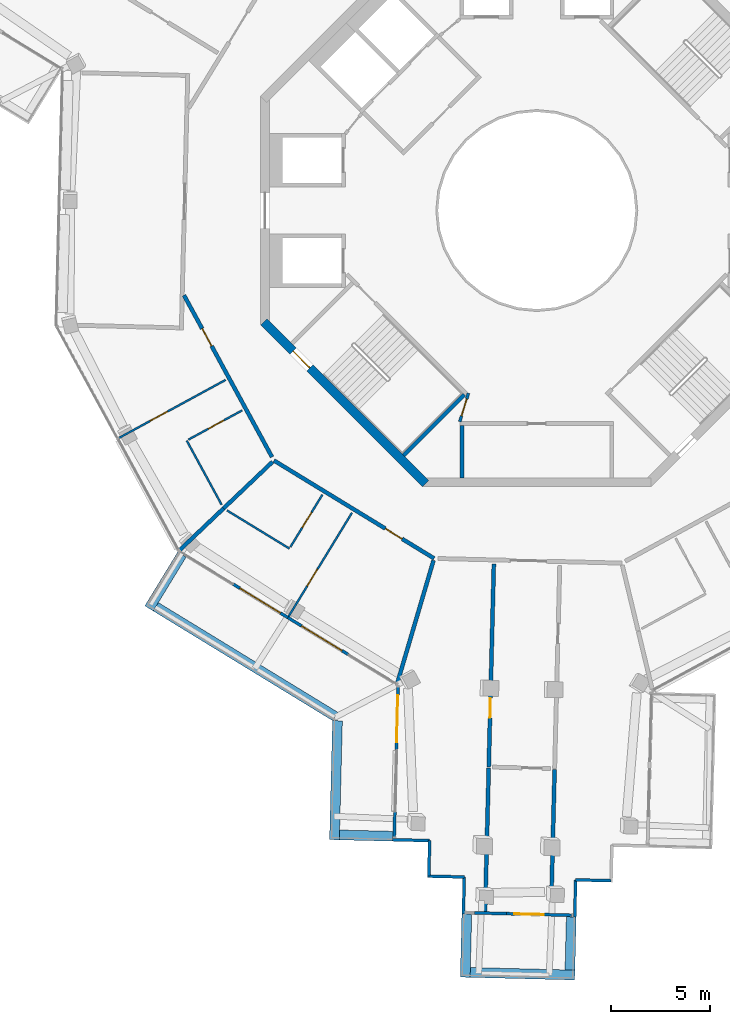
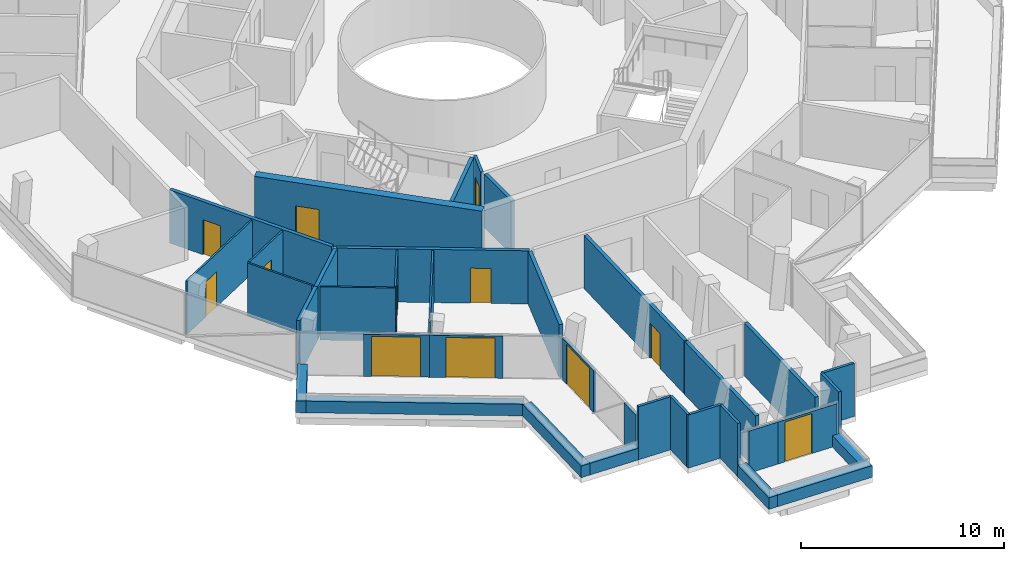
# One storey, part 16 of 24: 37 walls, 13 doors, 13 openings.
"""IFC4 building model written with IfcOpenShell, lengths in metres."""

import ifcopenshell
import ifcopenshell.guid

model = None  # the IFC model being written
_history = None  # IfcOwnerHistory: only IFC2X3 demands one
_inside = {}  # id of a spatial element -> (the spatial element, [elements in it])
_under = {}  # id of a project, library or spatial element -> (it, [spatial elements below it])
_declared = {}  # id of a project -> (the project, [libraries it declares])
_typed = {}  # id of a type object -> (the type object, [elements of that type])
_made_of = {}  # id of a material, layer set ... -> (it, [elements and type objects made of it])


def new_model(schema):
    """Start an empty IFC model of exactly this schema.

    Asked for "IFC4X3", IfcOpenShell would pick the latest addendum, in which some entities
    have other attributes; the version numbers below select the first issue.
    IFC2X3 requires an IfcOwnerHistory on every rooted entity: one is made here for all.
    """
    global model, _history
    if schema == "IFC4X3":
        model = ifcopenshell.file(schema_version=(4, 3, 0, 0))
    else:
        model = ifcopenshell.file(schema=schema)
    _inside.clear()
    _under.clear()
    _declared.clear()
    _typed.clear()
    _made_of.clear()
    _history = None
    if model.schema == "IFC2X3":
        org = make("IfcOrganization", Name="unknown")
        user = make(
            "IfcPersonAndOrganization",
            ThePerson=make("IfcPerson", FamilyName="unknown"),
            TheOrganization=org,
        )
        app = make(
            "IfcApplication",
            ApplicationDeveloper=org,
            Version="unknown",
            ApplicationFullName="unknown",
            ApplicationIdentifier="unknown",
        )
        _history = make(
            "IfcOwnerHistory",
            OwningUser=user,
            OwningApplication=app,
            ChangeAction="ADDED",
            CreationDate=0,
        )
    return model


def make(cls, **values):
    """One entity of the class cls with the attributes given. An attribute that is None is left unset."""
    return model.create_entity(
        cls, **{name: value for name, value in values.items() if value is not None}
    )


def rooted(cls, **values):
    """An entity with a GlobalId (a new one), such as an element, a storey or a relation."""
    return make(cls, GlobalId=ifcopenshell.guid.new(), OwnerHistory=_history, **values)


def si_unit(unit_type, name, prefix=None):
    """IfcSIUnit, for example si_unit("LENGTHUNIT", "METRE", prefix="MILLI")."""
    return make("IfcSIUnit", UnitType=unit_type, Prefix=prefix, Name=name)


def assignment(units):
    """IfcUnitAssignment: the units of a project."""
    return None if units is None else make("IfcUnitAssignment", Units=units)


def point(xyz):
    """IfcCartesianPoint."""
    return None if xyz is None else make("IfcCartesianPoint", Coordinates=xyz)


def direction(xyz):
    """IfcDirection."""
    return None if xyz is None else make("IfcDirection", DirectionRatios=xyz)


def frame(location, z_axis=None, x_axis=None):
    """IfcAxis2Placement3D, a coordinate frame: its origin and axes. An axis left out is left unset."""
    return make(
        "IfcAxis2Placement3D",
        Location=point(location),
        Axis=direction(z_axis),
        RefDirection=direction(x_axis),
    )


def frame_2d(location, x_axis=None):
    """IfcAxis2Placement2D, a coordinate frame in the plane: its origin and x axis."""
    return make(
        "IfcAxis2Placement2D", Location=point(location), RefDirection=direction(x_axis)
    )


def origin():
    """The frame at (0, 0, 0) with its axes left unset."""
    return frame((0.0, 0.0, 0.0))


def place(relative_to, where):
    """IfcLocalPlacement: puts the frame where relative to a parent placement (None: the world)."""
    return make(
        "IfcLocalPlacement", PlacementRelTo=relative_to, RelativePlacement=where
    )


def context(
    kind, dimensions, precision=None, world=None, true_north=None, identifier=None
):
    """IfcGeometricRepresentationContext, for example the 3D "Model" context."""
    return make(
        "IfcGeometricRepresentationContext",
        ContextIdentifier=identifier,
        ContextType=kind,
        CoordinateSpaceDimension=dimensions,
        Precision=precision,
        WorldCoordinateSystem=world,
        TrueNorth=true_north,
    )


def subcontext(parent, identifier, kind, view, scale=None):
    """IfcGeometricRepresentationSubContext, for example "Body" below "Model"."""
    return make(
        "IfcGeometricRepresentationSubContext",
        ContextIdentifier=identifier,
        ContextType=kind,
        ParentContext=parent,
        TargetScale=scale,
        TargetView=view,
    )


def project(units=None, contexts=None):
    """IfcProject with its units and contexts."""
    return rooted(
        "IfcProject",
        Name="project",
        RepresentationContexts=contexts,
        UnitsInContext=assignment(units),
    )


def spatial(cls, under=None, at=None, **own):
    """A site, building, storey or space (cls), placed at a placement, below another one or the project."""
    s = rooted(cls, ObjectPlacement=at, **own)
    if under is not None:
        _under.setdefault(under.id(), (under, []))[1].append(s)
    return s


def profile(cls, at=None, kind="AREA", **sizes):
    """A parametric profile (cls). Its sizes go by their IFC names, for example OverallWidth=200.0."""
    return make(cls, ProfileType=kind, Position=at, **sizes)


def rectangle(**sizes):
    """IfcRectangleProfileDef."""
    return profile("IfcRectangleProfileDef", **sizes)


def extrude(swept, where, along, depth):
    """IfcExtrudedAreaSolid: the profile swept, set in the frame where, extruded along a direction by depth."""
    return make(
        "IfcExtrudedAreaSolid",
        SweptArea=swept,
        Position=where,
        ExtrudedDirection=direction(along),
        Depth=depth,
    )


def shape(context_of_items, identifier, shape_type, items):
    """IfcShapeRepresentation: the items that make up one representation, for example the "Body"."""
    return make(
        "IfcShapeRepresentation",
        ContextOfItems=context_of_items,
        RepresentationIdentifier=identifier,
        RepresentationType=shape_type,
        Items=items,
    )


def material(Name=None, Category=None):
    """IfcMaterial."""
    return make("IfcMaterial", Name=Name, Category=Category)


def layer(
    of_material, thickness, ventilated=None, Name=None, Category=None, Priority=None
):
    """IfcMaterialLayer: one layer of a wall or slab, of a material (None: an air gap)."""
    return make(
        "IfcMaterialLayer",
        Material=of_material,
        LayerThickness=thickness,
        IsVentilated=ventilated,
        Name=Name,
        Category=Category,
        Priority=Priority,
    )


def layer_set(layers, Name=None):
    """IfcMaterialLayerSet."""
    return make("IfcMaterialLayerSet", MaterialLayers=layers, LayerSetName=Name)


def made_of(thing, what):
    """Note that an element or type object is made of a material, layer set ...; save() writes the relation."""
    if what is not None:
        _made_of.setdefault(what.id(), (what, []))[1].append(thing)
    return thing


def type_object(cls, material=None, **own):
    """A type object (cls), such as IfcWallType, which elements share."""
    return made_of(rooted(cls, **own), material)


def element(
    cls,
    number,
    at=None,
    inside=None,
    cuts=None,
    type_object=None,
    material=None,
    context=None,
    identifier="Body",
    shape_type=None,
    held_by="IfcProductDefinitionShape",
    body=None,
    shapes=None,
    **own,
):
    """One element of the class cls, such as IfcWall. Its Tag is "e" and its number.

    at: its placement. inside: the storey or other place that contains it. cuts: it is an
    opening in that element (IfcRelVoidsElement). A single representation is given by context,
    identifier, shape_type and body (its items); several are given by shapes. held_by: the class
    of the entity that holds the representations. save() writes the other relations.
    """
    e = rooted(cls, Tag="e%d" % number, ObjectPlacement=at, **own)
    if body is not None:
        shapes = [shape(context, identifier, shape_type, body)]
    if shapes is not None:
        e.Representation = make(held_by, Representations=shapes)
    if inside is not None:
        _inside.setdefault(inside.id(), (inside, []))[1].append(e)
    if cuts is not None:
        rooted(
            "IfcRelVoidsElement", RelatingBuildingElement=cuts, RelatedOpeningElement=e
        )
    if type_object is not None:
        _typed.setdefault(type_object.id(), (type_object, []))[1].append(e)
    return made_of(e, material)


def fill(opening, filler):
    """IfcRelFillsElement: the door or window that sits in an opening."""
    return rooted(
        "IfcRelFillsElement",
        RelatingOpeningElement=opening,
        RelatedBuildingElement=filler,
    )


def aggregate(whole, parts):
    """IfcRelAggregates: a whole, such as a stair, and the parts it consists of."""
    return rooted("IfcRelAggregates", RelatingObject=whole, RelatedObjects=parts)


def save(model, path):
    """Write the relations noted so far, then the file.

    IfcRelAggregates (storeys below a building ...), IfcRelContainedInSpatialStructure (elements
    in a storey), IfcRelDefinesByType, IfcRelAssociatesMaterial and IfcRelDeclares: one each for
    every whole, place, type object, material and project.
    """
    for whole, parts in _under.values():
        aggregate(whole, parts)
    for where, things in _inside.values():
        rooted(
            "IfcRelContainedInSpatialStructure",
            RelatedElements=things,
            RelatingStructure=where,
        )
    for kind, things in _typed.values():
        rooted("IfcRelDefinesByType", RelatedObjects=things, RelatingType=kind)
    for what, things in _made_of.values():
        rooted("IfcRelAssociatesMaterial", RelatedObjects=things, RelatingMaterial=what)
    for by, libraries in _declared.values():
        rooted("IfcRelDeclares", RelatingContext=by, RelatedDefinitions=libraries)
    model.write(path)


model = new_model("IFC4")

# Units and contexts
model_context = context("Model", 3, precision=1e-05, world=origin(), true_north=direction((0.0, 1.0)))
body_context = subcontext(model_context, "Body", "Model", "MODEL_VIEW")
ifc_project = project(units=[si_unit("LENGTHUNIT", "METRE"), si_unit("AREAUNIT", "SQUARE_METRE"), si_unit("VOLUMEUNIT", "CUBIC_METRE"), si_unit("PLANEANGLEUNIT", "RADIAN"), si_unit("MASSUNIT", "GRAM", prefix="KILO")], contexts=[model_context])

# Site, building, storey
site_placement = place(None, origin())
site = spatial("IfcSite", under=ifc_project, at=site_placement, CompositionType="ELEMENT")
building_placement = place(site_placement, origin())
building = spatial("IfcBuilding", under=site, at=building_placement, Name="Verdalira Terraces Hotel", CompositionType="ELEMENT")
storey_placement = place(building_placement, frame((0.0, 0.0, 274.0)))
storey = spatial("IfcBuildingStorey", under=building, at=storey_placement, Name="L67", CompositionType="ELEMENT", Elevation=274.0)

# Walls
ifc_material_1 = material(Name="Concrete C40", Category="concrete")
ifc_layer_1 = layer(ifc_material_1, 0.5)
ifc_layer_set_1 = layer_set([ifc_layer_1], Name="Balcony planter trough with tree")
wall_type_1 = type_object("IfcWallType", Name="Balcony planter trough with tree", PredefinedType="SOLIDWALL", material=ifc_layer_set_1)
wall_1_placement = place(storey_placement, frame((-17.986328, -17.437744, 0.0), z_axis=(0.0, 0.0, 1.0), x_axis=(-0.521582752, -0.853200699, 0.0)))
element("IfcWall", 1, at=wall_1_placement, inside=storey, type_object=wall_type_1, Name="Balcony planter", PredefinedType="SOLIDWALL", context=body_context, shape_type="SweptSolid", body=[
    extrude(rectangle(XDim=3.19873, YDim=0.5, at=frame_2d((1.599365, 0.0))), origin(), (0.0, 0.0, 1.0), 0.699951),
])
wall_2_placement = place(storey_placement, frame((-19.311035, -20.084229, 0.0), z_axis=(0.0, 0.0, 1.0), x_axis=(0.853182108, -0.521613162, 0.0)))
element("IfcWall", 2, at=wall_2_placement, inside=storey, type_object=wall_type_1, Name="Balcony planter", PredefinedType="SOLIDWALL", context=body_context, shape_type="SweptSolid", body=[
    extrude(rectangle(XDim=10.652344, YDim=0.5, at=frame_2d((5.326172, 0.0))), origin(), (0.0, 0.0, 1.0), 0.699951),
])
wall_3_placement = place(storey_placement, frame((-10.103027, -25.860107, 0.0), z_axis=(0.0, 0.0, 1.0), x_axis=(-0.025121561, -0.999684404, 0.0)))
element("IfcWall", 3, at=wall_3_placement, inside=storey, type_object=wall_type_1, Name="Balcony planter", PredefinedType="SOLIDWALL", context=body_context, shape_type="SweptSolid", body=[
    extrude(rectangle(XDim=6.035156, YDim=0.5, at=frame_2d((3.017578, 0.0))), origin(), (0.0, 0.0, 1.0), 0.699951),
])
wall_4_placement = place(storey_placement, frame((-9.998535, -31.649658, 0.0), z_axis=(0.0, 0.0, 1.0), x_axis=(0.999683793, -0.025145864, 0.0)))
element("IfcWall", 4, at=wall_4_placement, inside=storey, type_object=wall_type_1, Name="Balcony planter", PredefinedType="SOLIDWALL", context=body_context, shape_type="SweptSolid", body=[
    extrude(rectangle(XDim=2.698975, YDim=0.5, at=frame_2d((1.349609, 0.0))), origin(), (0.0, 0.0, 1.0), 0.699951),
])
wall_5_placement = place(storey_placement, frame((-3.547363, -35.664062, 0.0), z_axis=(0.0, 0.0, 1.0), x_axis=(-0.025108503, -0.999684732, 0.0)))
element("IfcWall", 5, at=wall_5_placement, inside=storey, type_object=wall_type_1, Name="Balcony planter", PredefinedType="SOLIDWALL", context=body_context, shape_type="SweptSolid", body=[
    extrude(rectangle(XDim=3.198975, YDim=0.5, at=frame_2d((1.599609, 0.0))), origin(), (0.0, 0.0, 1.0), 0.699951),
])
wall_6_placement = place(storey_placement, frame((-3.371582, -38.618408, 0.0), z_axis=(0.0, 0.0, 1.0), x_axis=(0.999683663, -0.025151013, 0.0)))
element("IfcWall", 6, at=wall_6_placement, inside=storey, type_object=wall_type_1, Name="Balcony planter", PredefinedType="SOLIDWALL", context=body_context, shape_type="SweptSolid", body=[
    extrude(rectangle(XDim=5.300049, YDim=0.5, at=frame_2d((2.649902, 0.0))), origin(), (0.0, 0.0, 1.0), 0.699951),
])
wall_7_placement = place(storey_placement, frame((1.683105, -38.495361, 0.0), z_axis=(0.0, 0.0, 1.0), x_axis=(0.025148138, 0.999683736, 0.0)))
element("IfcWall", 7, at=wall_7_placement, inside=storey, type_object=wall_type_1, Name="Balcony planter", PredefinedType="SOLIDWALL", context=body_context, shape_type="SweptSolid", body=[
    extrude(rectangle(XDim=2.69873, YDim=0.5, at=frame_2d((1.349365, 0.0))), origin(), (0.0, 0.0, 1.0), 0.699951),
])

# Wall, opening, door
ifc_material_2 = material(Name="Moisture-resistant gypsum board partition")
ifc_layer_2 = layer(ifc_material_2, 0.10009765625)
ifc_layer_set_2 = layer_set([ifc_layer_2], Name="Bathroom partition 100 mm")
wall_type_2 = type_object("IfcWallType", Name="Bathroom partition 100 mm", PredefinedType="PARTITIONING", material=ifc_layer_set_2)
wall_8_placement = place(storey_placement, frame((-15.773193, -8.585449, 0.0), z_axis=(0.0, 0.0, 1.0), x_axis=(-0.878315476, -0.478081504, 0.0)))
wall_8 = element("IfcWall", 8, at=wall_8_placement, inside=storey, type_object=wall_type_2, Name="Bathroom partition", PredefinedType="PARTITIONING", context=body_context, shape_type="SweptSolid", body=[
    extrude(rectangle(XDim=6.149902, YDim=0.100098, at=frame_2d((3.074951, 0.0))), origin(), (0.0, 0.0, 1.0), 3.189941),
])
opening_1_placement = place(wall_8_placement, frame((3.350098, 0.0, 0.0)))
opening_1 = element("IfcOpeningElement", 9, at=opening_1_placement, cuts=wall_8, Name="Opening L67-106", PredefinedType="OPENING", context=body_context, shape_type="SweptSolid", body=[
    extrude(rectangle(XDim=1.0, YDim=2.100098, at=frame_2d((0.5, 1.050049))), frame((0.0, 0.060059, 0.0), z_axis=(0.0, -1.0, 0.0), x_axis=(1.0, 0.0, 0.0)), (0.0, 0.0, 1.0), 0.120117),
])
ifc_material_3 = material(Name="Timber door", Category="wood")
door_type_1 = type_object("IfcDoorType", Name="Suite internal door 1000 x 2100", OperationType="NOTDEFINED", PredefinedType="DOOR", material=ifc_material_3)
door_1_placement = place(opening_1_placement, origin())
door_1 = element("IfcDoor", 10, at=door_1_placement, inside=storey, type_object=door_type_1, Name="Suite internal door 6702", OperationType="SINGLE_SWING_LEFT", OverallHeight=2.10009765625, OverallWidth=1.0, PredefinedType="DOOR", context=body_context, shape_type="SweptSolid", body=[
    extrude(rectangle(XDim=1.0, YDim=2.100098, at=frame_2d((0.5, 1.050049))), frame((0.0, 0.024902, 0.0), z_axis=(0.0, -1.0, 0.0), x_axis=(1.0, 0.0, 0.0)), (0.0, 0.0, 1.0), 0.050049),
])
fill(opening_1, door_1)

# Wall
wall_9_placement = place(storey_placement, frame((-17.743164, -11.659668, 0.0), z_axis=(0.0, 0.0, 1.0), x_axis=(0.478053023, -0.878330978, 0.0)))
element("IfcWall", 11, at=wall_9_placement, inside=storey, type_object=wall_type_2, Name="Bathroom partition", PredefinedType="PARTITIONING", context=body_context, shape_type="SweptSolid", body=[
    extrude(rectangle(XDim=3.704102, YDim=0.100098, at=frame_2d((1.852051, 0.0))), origin(), (0.0, 0.0, 1.0), 3.189941),
])

# Wall, opening, door
wall_10_placement = place(storey_placement, frame((-14.932617, -10.129883, 0.0), z_axis=(0.0, 0.0, 1.0), x_axis=(-0.87832263, -0.478068361, 0.0)))
wall_10 = element("IfcWall", 12, at=wall_10_placement, inside=storey, type_object=wall_type_2, Name="Bathroom partition", PredefinedType="PARTITIONING", context=body_context, shape_type="SweptSolid", body=[
    extrude(rectangle(XDim=3.099854, YDim=0.100098, at=frame_2d((1.549805, 0.0))), origin(), (0.0, 0.0, 1.0), 3.189941),
])
opening_2_placement = place(wall_10_placement, frame((1.050049, 0.0, 0.0)))
opening_2 = element("IfcOpeningElement", 13, at=opening_2_placement, cuts=wall_10, Name="Opening L67-107", PredefinedType="OPENING", context=body_context, shape_type="SweptSolid", body=[
    extrude(rectangle(XDim=0.899902, YDim=2.100098, at=frame_2d((0.449951, 1.050049))), frame((0.0, 0.060059, 0.0), z_axis=(0.0, -1.0, 0.0), x_axis=(1.0, 0.0, 0.0)), (0.0, 0.0, 1.0), 0.120117),
])
ifc_material_4 = material(Name="Timber door", Category="wood")
door_type_2 = type_object("IfcDoorType", Name="Bathroom door 900 x 2100", OperationType="NOTDEFINED", PredefinedType="DOOR", material=ifc_material_4)
door_2_placement = place(opening_2_placement, origin())
door_2 = element("IfcDoor", 14, at=door_2_placement, inside=storey, type_object=door_type_2, Name="Bathroom door 6702", OperationType="SINGLE_SWING_RIGHT", OverallHeight=2.10009765625, OverallWidth=0.89990234375, PredefinedType="DOOR", context=body_context, shape_type="SweptSolid", body=[
    extrude(rectangle(XDim=0.899902, YDim=2.100098, at=frame_2d((0.449951, 1.050049))), frame((0.0, 0.024902, 0.0), z_axis=(0.0, -1.0, 0.0), x_axis=(1.0, 0.0, 0.0)), (0.0, 0.0, 1.0), 0.050049),
])
fill(opening_2, door_2)

# Wall
wall_11_placement = place(storey_placement, frame((-15.702637, -15.199219, 0.0), z_axis=(0.0, 0.0, 1.0), x_axis=(0.853161467, -0.521646921, 0.0)))
element("IfcWall", 15, at=wall_11_placement, inside=storey, type_object=wall_type_2, Name="Bathroom partition", PredefinedType="PARTITIONING", context=body_context, shape_type="SweptSolid", body=[
    extrude(rectangle(XDim=3.710938, YDim=0.100098, at=frame_2d((1.855469, 0.0))), origin(), (0.0, 0.0, 1.0), 3.189941),
])

# Wall, opening, door
wall_12_placement = place(storey_placement, frame((-12.484375, -17.049561, 0.0), z_axis=(0.0, 0.0, 1.0), x_axis=(0.521669797, 0.85314748, 0.0)))
wall_12 = element("IfcWall", 16, at=wall_12_placement, inside=storey, type_object=wall_type_2, Name="Bathroom partition", PredefinedType="PARTITIONING", context=body_context, shape_type="SweptSolid", body=[
    extrude(rectangle(XDim=3.100098, YDim=0.100098, at=frame_2d((1.550049, 0.0))), origin(), (0.0, 0.0, 1.0), 3.189941),
])
opening_3_placement = place(wall_12_placement, frame((1.149902, 0.0, 0.0)))
opening_3 = element("IfcOpeningElement", 17, at=opening_3_placement, cuts=wall_12, Name="Opening L67-110", PredefinedType="OPENING", context=body_context, shape_type="SweptSolid", body=[
    extrude(rectangle(XDim=0.899902, YDim=2.100098, at=frame_2d((0.449951, 1.050049))), frame((0.0, 0.060059, 0.0), z_axis=(0.0, -1.0, 0.0), x_axis=(1.0, 0.0, 0.0)), (0.0, 0.0, 1.0), 0.120117),
])
door_3_placement = place(opening_3_placement, origin())
door_3 = element("IfcDoor", 18, at=door_3_placement, inside=storey, type_object=door_type_2, Name="Bathroom door 6703", OperationType="SINGLE_SWING_LEFT", OverallHeight=2.10009765625, OverallWidth=0.89990234375, PredefinedType="DOOR", context=body_context, shape_type="SweptSolid", body=[
    extrude(rectangle(XDim=0.899902, YDim=2.100098, at=frame_2d((0.449951, 1.050049))), frame((0.0, 0.024902, 0.0), z_axis=(0.0, -1.0, 0.0), x_axis=(1.0, 0.0, 0.0)), (0.0, 0.0, 1.0), 0.050049),
])
fill(opening_3, door_3)

wall_13_placement = place(storey_placement, frame((-12.574951, -20.568848, 0.0), z_axis=(0.0, 0.0, 1.0), x_axis=(0.521594521, 0.853193504, 0.0)))
wall_13 = element("IfcWall", 19, at=wall_13_placement, inside=storey, type_object=wall_type_2, Name="Bathroom partition", PredefinedType="PARTITIONING", context=body_context, shape_type="SweptSolid", body=[
    extrude(rectangle(XDim=6.149902, YDim=0.100098, at=frame_2d((3.074951, 0.0))), origin(), (0.0, 0.0, 1.0), 3.189941),
])
opening_4_placement = place(wall_13_placement, frame((1.800049, 0.0, 0.0)))
opening_4 = element("IfcOpeningElement", 20, at=opening_4_placement, cuts=wall_13, Name="Opening L67-109", PredefinedType="OPENING", context=body_context, shape_type="SweptSolid", body=[
    extrude(rectangle(XDim=1.0, YDim=2.100098, at=frame_2d((0.5, 1.050049))), frame((0.0, 0.060059, 0.0), z_axis=(0.0, -1.0, 0.0), x_axis=(1.0, 0.0, 0.0)), (0.0, 0.0, 1.0), 0.120117),
])
door_4_placement = place(opening_4_placement, origin())
door_4 = element("IfcDoor", 21, at=door_4_placement, inside=storey, type_object=door_type_1, Name="Suite internal door 6703", OperationType="SINGLE_SWING_LEFT", OverallHeight=2.10009765625, OverallWidth=1.0, PredefinedType="DOOR", context=body_context, shape_type="SweptSolid", body=[
    extrude(rectangle(XDim=1.0, YDim=2.100098, at=frame_2d((0.5, 1.050049))), frame((0.0, 0.024902, 0.0), z_axis=(0.0, -1.0, 0.0), x_axis=(1.0, 0.0, 0.0)), (0.0, 0.0, 1.0), 0.050049),
])
fill(opening_4, door_4)

# Walls
ifc_material_5 = material(Name="Concrete C50", Category="concrete")
ifc_layer_3 = layer(ifc_material_5, 0.199951171875)
ifc_layer_set_3 = layer_set([ifc_layer_3], Name="Core RC wall 200 C50")
wall_type_3 = type_object("IfcWallType", Name="Core RC wall 200 C50", PredefinedType="SOLIDWALL", material=ifc_layer_set_3)
wall_14_placement = place(storey_placement, frame((-3.800049, -10.899902, 0.0), z_axis=(0.0, 0.0, 1.0), x_axis=(0.0, -1.0, 0.0)))
element("IfcWall", 22, at=wall_14_placement, inside=storey, type_object=wall_type_3, Name="L67 store side wall", PredefinedType="SOLIDWALL", context=body_context, shape_type="SweptSolid", body=[
    extrude(rectangle(XDim=2.650146, YDim=0.199951, at=frame_2d((1.325195, 0.0))), origin(), (0.0, 0.0, 1.0), 3.189941),
])
wall_15_placement = place(storey_placement, frame((-3.677002, -9.33374, 0.0), z_axis=(0.0, 0.0, 1.0), x_axis=(-0.707106781, -0.707106781, 0.0)))
element("IfcWall", 23, at=wall_15_placement, inside=storey, type_object=wall_type_3, Name="L67 stair ST2 end wall 2", PredefinedType="SOLIDWALL", context=body_context, shape_type="SweptSolid", body=[
    extrude(rectangle(XDim=4.350098, YDim=0.199951, at=frame_2d((2.175049, 0.0))), origin(), (0.0, 0.0, 1.0), 3.189941),
])

# Wall, opening, door
ifc_material_6 = material(Name="Gypsum board partition")
ifc_layer_4 = layer(ifc_material_6, 0.14990234375)
ifc_layer_set_4 = layer_set([ifc_layer_4], Name="Core partition 150 mm")
wall_type_4 = type_object("IfcWallType", Name="Core partition 150 mm", PredefinedType="PARTITIONING", material=ifc_layer_set_4)
wall_16_placement = place(storey_placement, frame((-3.464844, -9.263184, 0.0), z_axis=(0.0, 0.0, 1.0), x_axis=(-0.289808785, -0.957084567, 0.0)))
wall_16 = element("IfcWall", 24, at=wall_16_placement, inside=storey, type_object=wall_type_4, Name="Room partition L67", PredefinedType="PARTITIONING", context=body_context, shape_type="SweptSolid", body=[
    extrude(rectangle(XDim=1.501221, YDim=0.149902, at=frame_2d((0.750488, 0.0))), origin(), (0.0, 0.0, 1.0), 3.189941),
])
opening_5_placement = place(wall_16_placement, frame((0.300781, 0.0, 0.0)))
opening_5 = element("IfcOpeningElement", 25, at=opening_5_placement, cuts=wall_16, Name="Opening L67-822", PredefinedType="OPENING", context=body_context, shape_type="SweptSolid", body=[
    extrude(rectangle(XDim=0.899902, YDim=2.100098, at=frame_2d((0.449951, 1.050049))), frame((0.0, 0.084961, 0.0), z_axis=(0.0, -1.0, 0.0), x_axis=(1.0, 0.0, 0.0)), (0.0, 0.0, 1.0), 0.169922),
])
ifc_material_7 = material(Name="Steel fire door", Category="steel")
door_type_3 = type_object("IfcDoorType", Name="Core room door 900 x 2100", OperationType="NOTDEFINED", PredefinedType="DOOR", material=ifc_material_7)
door_5_placement = place(opening_5_placement, origin())
door_5 = element("IfcDoor", 26, at=door_5_placement, inside=storey, type_object=door_type_3, Name="Door L67 room5", OperationType="SINGLE_SWING_LEFT", OverallHeight=2.10009765625, OverallWidth=0.89990234375, PredefinedType="DOOR", context=body_context, shape_type="SweptSolid", body=[
    extrude(rectangle(XDim=0.899902, YDim=2.100098, at=frame_2d((0.449951, 1.050049))), frame((0.0, 0.024902, 0.0), z_axis=(0.0, -1.0, 0.0), x_axis=(1.0, 0.0, 0.0)), (0.0, 0.0, 1.0), 0.050049),
])
fill(opening_5, door_5)

ifc_material_8 = material(Name="Concrete C50", Category="concrete")
ifc_layer_5 = layer(ifc_material_8, 0.449951171875)
ifc_layer_set_5 = layer_set([ifc_layer_5], Name="Core wall 450 C50")
wall_type_5 = type_object("IfcWallType", Name="Core wall 450 C50", PredefinedType="SHEAR", material=ifc_layer_set_5)
wall_17_placement = place(storey_placement, frame((-13.84082, -5.639893, 0.0), z_axis=(0.0, 0.0, 1.0), x_axis=(0.707106781, -0.707106781, 0.0)))
wall_17 = element("IfcWall", 27, at=wall_17_placement, inside=storey, type_object=wall_type_5, Name="Core wall CW-L67-6", PredefinedType="SHEAR", context=body_context, shape_type="SweptSolid", body=[
    extrude(rectangle(XDim=11.5979, YDim=0.449951, at=frame_2d((5.798828, 0.0))), origin(), (0.0, 0.0, 1.0), 3.5),
])
opening_6_placement = place(wall_17_placement, frame((2.099121, 0.0, 0.0)))
opening_6 = element("IfcOpeningElement", 28, at=opening_6_placement, cuts=wall_17, Name="Opening L67-817", PredefinedType="OPENING", context=body_context, shape_type="SweptSolid", body=[
    extrude(rectangle(XDim=1.199951, YDim=2.100098, at=frame_2d((0.600098, 1.050049))), frame((0.0, 0.234863, 0.0), z_axis=(0.0, -1.0, 0.0), x_axis=(1.0, 0.0, 0.0)), (0.0, 0.0, 1.0), 0.469971),
])
ifc_material_9 = material(Name="Steel fire door", Category="steel")
door_type_4 = type_object("IfcDoorType", Name="Stair door 1200 x 2100", OperationType="NOTDEFINED", PredefinedType="DOOR", material=ifc_material_9)
door_6_placement = place(opening_6_placement, origin())
door_6 = element("IfcDoor", 29, at=door_6_placement, inside=storey, type_object=door_type_4, Name="Stair exit door ST2 L67", OperationType="SINGLE_SWING_LEFT", OverallHeight=2.10009765625, OverallWidth=1.199951171875, PredefinedType="DOOR", context=body_context, shape_type="SweptSolid", body=[
    extrude(rectangle(XDim=1.199951, YDim=2.100098, at=frame_2d((0.600098, 1.050049))), frame((0.0, 0.024902, 0.0), z_axis=(0.0, -1.0, 0.0), x_axis=(1.0, 0.0, 0.0)), (0.0, 0.0, 1.0), 0.050049),
])
fill(opening_6, door_6)

# Walls
ifc_material_10 = material(Name="Fire-rated gypsum board wall")
ifc_layer_6 = layer(ifc_material_10, 0.199951171875)
ifc_layer_set_6 = layer_set([ifc_layer_6], Name="Demising wall 200 mm")
wall_type_6 = type_object("IfcWallType", Name="Demising wall 200 mm", PredefinedType="SOLIDWALL", material=ifc_layer_set_6)
wall_18_placement = place(storey_placement, frame((-15.873291, -15.094727, 0.0), z_axis=(0.0, 0.0, 1.0), x_axis=(-0.724638726, -0.689128955, 0.0)))
element("IfcWall", 30, at=wall_18_placement, inside=storey, type_object=wall_type_6, Name="Demising wall", PredefinedType="SOLIDWALL", context=body_context, shape_type="SweptSolid", body=[
    extrude(rectangle(XDim=3.05957, YDim=0.199951, at=frame_2d((1.529785, 0.0))), origin(), (0.0, 0.0, 1.0), 3.189941),
])
wall_19_placement = place(storey_placement, frame((-13.397705, -12.740479, 0.0), z_axis=(0.0, 0.0, 1.0), x_axis=(-0.724642487, -0.689125, 0.0)))
element("IfcWall", 31, at=wall_19_placement, inside=storey, type_object=wall_type_6, Name="Demising wall", PredefinedType="SOLIDWALL", context=body_context, shape_type="SweptSolid", body=[
    extrude(rectangle(XDim=3.41626, YDim=0.199951, at=frame_2d((1.708008, 0.0))), origin(), (0.0, 0.0, 1.0), 3.189941),
])
wall_20_placement = place(storey_placement, frame((-7.065186, -23.943604, 0.0), z_axis=(0.0, 0.0, 1.0), x_axis=(0.283011215, 0.9591166, 0.0)))
element("IfcWall", 32, at=wall_20_placement, inside=storey, type_object=wall_type_6, Name="Demising wall", PredefinedType="SOLIDWALL", context=body_context, shape_type="SweptSolid", body=[
    extrude(rectangle(XDim=6.47583, YDim=0.199951, at=frame_2d((3.237793, 0.0))), origin(), (0.0, 0.0, 1.0), 3.189941),
])
wall_21_placement = place(storey_placement, frame((-2.435303, -28.25415, 0.0), z_axis=(0.0, 0.0, 1.0), x_axis=(-0.025136215, -0.999684035, 0.0)))
element("IfcWall", 33, at=wall_21_placement, inside=storey, type_object=wall_type_6, Name="Demising wall", PredefinedType="SOLIDWALL", context=body_context, shape_type="SweptSolid", body=[
    extrude(rectangle(XDim=7.284424, YDim=0.199951, at=frame_2d((3.64209, 0.0))), origin(), (0.0, 0.0, 1.0), 3.189941),
])

# Wall, opening, door
wall_22_placement = place(storey_placement, frame((-2.434082, -28.208008, 0.0), z_axis=(0.0, 0.0, 1.0), x_axis=(0.025120081, 0.999684441, 0.0)))
wall_22 = element("IfcWall", 34, at=wall_22_placement, inside=storey, type_object=wall_type_6, Name="Demising wall", PredefinedType="SOLIDWALL", context=body_context, shape_type="SweptSolid", body=[
    extrude(rectangle(XDim=10.302002, YDim=0.199951, at=frame_2d((5.150879, 0.0))), origin(), (0.0, 0.0, 1.0), 3.189941),
])
opening_7_placement = place(wall_22_placement, frame((2.5, 0.0, 0.0)))
opening_7 = element("IfcOpeningElement", 35, at=opening_7_placement, cuts=wall_22, Name="Opening L67-112", PredefinedType="OPENING", context=body_context, shape_type="SweptSolid", body=[
    extrude(rectangle(XDim=1.0, YDim=2.100098, at=frame_2d((0.5, 1.050049))), frame((0.0, 0.109863, 0.0), z_axis=(0.0, -1.0, 0.0), x_axis=(1.0, 0.0, 0.0)), (0.0, 0.0, 1.0), 0.219971),
])
ifc_material_11 = material(Name="Timber fire door", Category="wood")
door_type_5 = type_object("IfcDoorType", Name="Public room door 1000 x 2100", OperationType="NOTDEFINED", PredefinedType="DOOR", material=ifc_material_11)
door_7_placement = place(opening_7_placement, origin())
door_7 = element("IfcDoor", 36, at=door_7_placement, inside=storey, type_object=door_type_5, Name="Public room door 6704", OperationType="SINGLE_SWING_LEFT", OverallHeight=2.10009765625, OverallWidth=1.0, PredefinedType="DOOR", context=body_context, shape_type="SweptSolid", body=[
    extrude(rectangle(XDim=1.0, YDim=2.100098, at=frame_2d((0.5, 1.050049))), frame((0.0, 0.024902, 0.0), z_axis=(0.0, -1.0, 0.0), x_axis=(1.0, 0.0, 0.0)), (0.0, 0.0, 1.0), 0.050049),
])
fill(opening_7, door_7)

# Wall
wall_23_placement = place(storey_placement, frame((0.721924, -35.620361, 0.0), z_axis=(0.0, 0.0, 1.0), x_axis=(0.02510188, 0.999684898, 0.0)))
element("IfcWall", 37, at=wall_23_placement, inside=storey, type_object=wall_type_6, Name="Demising wall", PredefinedType="SOLIDWALL", context=body_context, shape_type="SweptSolid", body=[
    extrude(rectangle(XDim=7.284668, YDim=0.199951, at=frame_2d((3.642334, 0.0))), origin(), (0.0, 0.0, 1.0), 3.189941),
])

# Wall, opening, door
ifc_material_12 = material(Name="Fire-rated gypsum board wall")
ifc_layer_7 = layer(ifc_material_12, 0.199951171875)
ifc_layer_set_7 = layer_set([ifc_layer_7], Name="Guest corridor wall 200 mm")
wall_type_7 = type_object("IfcWallType", Name="Guest corridor wall 200 mm", PredefinedType="SOLIDWALL", material=ifc_layer_set_7)
wall_24_placement = place(storey_placement, frame((-13.418213, -12.493408, 0.0), z_axis=(0.0, 0.0, 1.0), x_axis=(-0.478080636, 0.878315948, 0.0)))
wall_24 = element("IfcWall", 38, at=wall_24_placement, inside=storey, type_object=wall_type_7, Name="Guest corridor wall", PredefinedType="SOLIDWALL", context=body_context, shape_type="SweptSolid", body=[
    extrude(rectangle(XDim=9.33667, YDim=0.199951, at=frame_2d((4.668457, 0.0))), origin(), (0.0, 0.0, 1.0), 3.189941),
])
opening_8_placement = place(wall_24_placement, frame((6.408203, 0.0, 0.0)))
opening_8 = element("IfcOpeningElement", 39, at=opening_8_placement, cuts=wall_24, Name="Opening L67-105", PredefinedType="OPENING", context=body_context, shape_type="SweptSolid", body=[
    extrude(rectangle(XDim=1.0, YDim=2.100098, at=frame_2d((0.5, 1.050049))), frame((0.0, 0.109863, 0.0), z_axis=(0.0, -1.0, 0.0), x_axis=(1.0, 0.0, 0.0)), (0.0, 0.0, 1.0), 0.219971),
])
ifc_material_13 = material(Name="Timber fire door", Category="wood")
door_type_6 = type_object("IfcDoorType", Name="Guest entry door 1000 x 2100", OperationType="NOTDEFINED", PredefinedType="DOOR", material=ifc_material_13)
door_8_placement = place(opening_8_placement, origin())
door_8 = element("IfcDoor", 40, at=door_8_placement, inside=storey, type_object=door_type_6, Name="Guest entry door 6702", OperationType="SINGLE_SWING_LEFT", OverallHeight=2.10009765625, OverallWidth=1.0, PredefinedType="DOOR", context=body_context, shape_type="SweptSolid", body=[
    extrude(rectangle(XDim=1.0, YDim=2.100098, at=frame_2d((0.5, 1.050049))), frame((0.0, 0.024902, 0.0), z_axis=(0.0, -1.0, 0.0), x_axis=(1.0, 0.0, 0.0)), (0.0, 0.0, 1.0), 0.050049),
])
fill(opening_8, door_8)

wall_25_placement = place(storey_placement, frame((-5.203125, -17.633057, 0.0), z_axis=(0.0, 0.0, 1.0), x_axis=(-0.853187331, 0.521604619, 0.0)))
wall_25 = element("IfcWall", 41, at=wall_25_placement, inside=storey, type_object=wall_type_7, Name="Guest corridor wall", PredefinedType="SOLIDWALL", context=body_context, shape_type="SweptSolid", body=[
    extrude(rectangle(XDim=9.516602, YDim=0.199951, at=frame_2d((4.758301, 0.0))), origin(), (0.0, 0.0, 1.0), 3.189941),
])
opening_9_placement = place(wall_25_placement, frame((1.899902, 0.0, 0.0)))
opening_9 = element("IfcOpeningElement", 42, at=opening_9_placement, cuts=wall_25, Name="Opening L67-108", PredefinedType="OPENING", context=body_context, shape_type="SweptSolid", body=[
    extrude(rectangle(XDim=1.0, YDim=2.100098, at=frame_2d((0.5, 1.050049))), frame((0.0, 0.109863, 0.0), z_axis=(0.0, -1.0, 0.0), x_axis=(1.0, 0.0, 0.0)), (0.0, 0.0, 1.0), 0.219971),
])
door_9_placement = place(opening_9_placement, origin())
door_9 = element("IfcDoor", 43, at=door_9_placement, inside=storey, type_object=door_type_6, Name="Guest entry door 6703", OperationType="SINGLE_SWING_LEFT", OverallHeight=2.10009765625, OverallWidth=1.0, PredefinedType="DOOR", context=body_context, shape_type="SweptSolid", body=[
    extrude(rectangle(XDim=1.0, YDim=2.100098, at=frame_2d((0.5, 1.050049))), frame((0.0, 0.024902, 0.0), z_axis=(0.0, -1.0, 0.0), x_axis=(1.0, 0.0, 0.0)), (0.0, 0.0, 1.0), 0.050049),
])
fill(opening_9, door_9)

# Walls
ifc_material_14 = material(Name="Terracotta cladding", Category="masonry")
ifc_layer_8 = layer(ifc_material_14, 0.14990234375)
ifc_layer_set_8 = layer_set([ifc_layer_8], Name="Terracotta clad wall 150")
wall_type_8 = type_object("IfcWallType", Name="Terracotta clad wall 150", PredefinedType="SOLIDWALL", material=ifc_layer_set_8)
wall_26_placement = place(storey_placement, frame((-7.303711, -31.892578, 0.0), z_axis=(0.0, 0.0, 1.0), x_axis=(0.999684139, -0.025132088, 0.0)))
element("IfcWall", 44, at=wall_26_placement, inside=storey, type_object=wall_type_8, Name="Terracotta cladding wall", PredefinedType="SOLIDWALL", context=body_context, shape_type="SweptSolid", body=[
    extrude(rectangle(XDim=1.874756, YDim=0.149902, at=frame_2d((0.9375, 0.0))), origin(), (0.0, 0.0, 1.0), 3.189941),
])
wall_27_placement = place(storey_placement, frame((-5.429443, -31.939697, 0.0), z_axis=(0.0, 0.0, 1.0), x_axis=(-0.025093859, -0.9996851, 0.0)))
element("IfcWall", 45, at=wall_27_placement, inside=storey, type_object=wall_type_8, Name="Terracotta cladding wall", PredefinedType="SOLIDWALL", context=body_context, shape_type="SweptSolid", body=[
    extrude(rectangle(XDim=1.799805, YDim=0.149902, at=frame_2d((0.899902, 0.0))), origin(), (0.0, 0.0, 1.0), 3.189941),
])
for number, where, z_axis, x_axis, name in (
    (46, (-5.549561, -33.737061, 0.0), (0.0, 0.0, 1.0), (0.999684221, -0.025128817, 0.0), "Terracotta cladding wall"),
    (47, (-3.675049, -33.78418, 0.0), (0.0, 0.0, 1.0), (-0.025128817, -0.999684221, 0.0), "Terracotta cladding wall"),
):
    element("IfcWall", number, at=place(storey_placement, frame(where, z_axis=z_axis, x_axis=x_axis)), inside=storey, type_object=wall_type_8, Name=name, PredefinedType="SOLIDWALL", context=body_context, shape_type="SweptSolid", body=[
        extrude(rectangle(XDim=1.875, YDim=0.149902, at=frame_2d((0.9375, 0.0))), origin(), (0.0, 0.0, 1.0), 3.189941),
    ])
wall_28_placement = place(storey_placement, frame((1.926025, -35.800537, 0.0), z_axis=(0.0, 0.0, 1.0), x_axis=(0.025132088, 0.999684139, 0.0)))
element("IfcWall", 48, at=wall_28_placement, inside=storey, type_object=wall_type_8, Name="Terracotta cladding wall", PredefinedType="SOLIDWALL", context=body_context, shape_type="SweptSolid", body=[
    extrude(rectangle(XDim=1.874756, YDim=0.149902, at=frame_2d((0.9375, 0.0))), origin(), (0.0, 0.0, 1.0), 3.189941),
])
wall_29_placement = place(storey_placement, frame((1.973145, -33.92627, 0.0), z_axis=(0.0, 0.0, 1.0), x_axis=(0.9996851, -0.025093859, 0.0)))
element("IfcWall", 49, at=wall_29_placement, inside=storey, type_object=wall_type_8, Name="Terracotta cladding wall", PredefinedType="SOLIDWALL", context=body_context, shape_type="SweptSolid", body=[
    extrude(rectangle(XDim=1.799805, YDim=0.149902, at=frame_2d((0.899902, 0.0))), origin(), (0.0, 0.0, 1.0), 3.189941),
])
ifc_material_15 = material(Name="Terracotta cladding", Category="masonry")
ifc_layer_9 = layer(ifc_material_15, 0.14990234375)
ifc_layer_set_9 = layer_set([ifc_layer_9], Name="Terracotta column pier 150")
wall_type_9 = type_object("IfcWallType", Name="Terracotta column pier 150", PredefinedType="SOLIDWALL", material=ifc_layer_set_9)
wall_30_placement = place(storey_placement, frame((-7.193115, -30.479736, 0.0), z_axis=(0.0, 0.0, 1.0), x_axis=(-0.025179478, -0.999682947, 0.0)))
element("IfcWall", 50, at=wall_30_placement, inside=storey, type_object=wall_type_9, Name="Terracotta column pier", PredefinedType="SOLIDWALL", context=body_context, shape_type="SweptSolid", body=[
    extrude(rectangle(XDim=1.270264, YDim=0.149902, at=frame_2d((0.635254, 0.0))), origin(), (0.0, 0.0, 1.0), 2.524902),
])
wall_31_placement = place(storey_placement, frame((-3.165527, -35.597656, 0.0), z_axis=(0.0, 0.0, 1.0), x_axis=(0.999683328, -0.025164339, 0.0)))
element("IfcWall", 51, at=wall_31_placement, inside=storey, type_object=wall_type_9, Name="Terracotta column pier", PredefinedType="SOLIDWALL", context=body_context, shape_type="SweptSolid", body=[
    extrude(rectangle(XDim=1.629883, YDim=0.149902, at=frame_2d((0.814941, 0.0))), origin(), (0.0, 0.0, 1.0), 2.524902),
])

# Wall, opening, door
ifc_material_16 = material(Name="Terracotta cladding", Category="masonry")
ifc_layer_10 = layer(ifc_material_16, 0.14990234375)
ifc_layer_set_10 = layer_set([ifc_layer_10], Name="Terracotta door pier 150")
wall_type_10 = type_object("IfcWallType", Name="Terracotta door pier 150", PredefinedType="SOLIDWALL", material=ifc_layer_set_10)
wall_32_placement = place(storey_placement, frame((-15.386963, -18.937744, 0.0), z_axis=(0.0, 0.0, 1.0), x_axis=(0.853194542, -0.521592824, 0.0)))
wall_32 = element("IfcWall", 52, at=wall_32_placement, inside=storey, type_object=wall_type_10, Name="Terracotta door pier", PredefinedType="SOLIDWALL", context=body_context, shape_type="SweptSolid", body=[
    extrude(rectangle(XDim=3.249756, YDim=0.149902, at=frame_2d((1.625, 0.0))), origin(), (0.0, 0.0, 1.0), 2.524902),
])
opening_10_placement = place(wall_32_placement, frame((0.399902, 0.0, 0.0)))
opening_10 = element("IfcOpeningElement", 53, at=opening_10_placement, cuts=wall_32, Name="Opening L67-B04", PredefinedType="OPENING", context=body_context, shape_type="SweptSolid", body=[
    extrude(rectangle(XDim=2.399902, YDim=2.399902, at=frame_2d((1.199951, 1.199951))), frame((0.0, 0.084961, 0.0), z_axis=(0.0, -1.0, 0.0), x_axis=(1.0, 0.0, 0.0)), (0.0, 0.0, 1.0), 0.169922),
])
ifc_material_17 = material(Name="Clear glass", Category="glass")
door_type_7 = type_object("IfcDoorType", Name="Balcony sliding door 2400x2400", OperationType="NOTDEFINED", PredefinedType="DOOR", material=ifc_material_17)
door_10_placement = place(opening_10_placement, origin())
door_10 = element("IfcDoor", 54, at=door_10_placement, inside=storey, type_object=door_type_7, Name="Balcony sliding door", OperationType="SLIDING_TO_RIGHT", OverallHeight=2.39990234375, OverallWidth=2.39990234375, PredefinedType="DOOR", context=body_context, shape_type="SweptSolid", body=[
    extrude(rectangle(XDim=2.399902, YDim=2.399902, at=frame_2d((1.199951, 1.199951))), frame((0.0, 0.024902, 0.0), z_axis=(0.0, -1.0, 0.0), x_axis=(1.0, 0.0, 0.0)), (0.0, 0.0, 1.0), 0.050049),
])
fill(opening_10, door_10)

wall_33_placement = place(storey_placement, frame((-12.614258, -20.632812, 0.0), z_axis=(0.0, 0.0, 1.0), x_axis=(0.853186571, -0.521605862, 0.0)))
wall_33 = element("IfcWall", 55, at=wall_33_placement, inside=storey, type_object=wall_type_10, Name="Terracotta door pier", PredefinedType="SOLIDWALL", context=body_context, shape_type="SweptSolid", body=[
    extrude(rectangle(XDim=3.611572, YDim=0.149902, at=frame_2d((1.805664, 0.0))), origin(), (0.0, 0.0, 1.0), 2.524902),
])
opening_11_placement = place(wall_33_placement, frame((0.811279, 0.0, 0.0)))
opening_11 = element("IfcOpeningElement", 56, at=opening_11_placement, cuts=wall_33, Name="Opening L67-B05", PredefinedType="OPENING", context=body_context, shape_type="SweptSolid", body=[
    extrude(rectangle(XDim=2.399902, YDim=2.399902, at=frame_2d((1.199951, 1.199951))), frame((0.0, 0.084961, 0.0), z_axis=(0.0, -1.0, 0.0), x_axis=(1.0, 0.0, 0.0)), (0.0, 0.0, 1.0), 0.169922),
])
door_11_placement = place(opening_11_placement, origin())
door_11 = element("IfcDoor", 57, at=door_11_placement, inside=storey, type_object=door_type_7, Name="Balcony sliding door", OperationType="SLIDING_TO_LEFT", OverallHeight=2.39990234375, OverallWidth=2.39990234375, PredefinedType="DOOR", context=body_context, shape_type="SweptSolid", body=[
    extrude(rectangle(XDim=2.399902, YDim=2.399902, at=frame_2d((1.199951, 1.199951))), frame((0.0, 0.024902, 0.0), z_axis=(0.0, -1.0, 0.0), x_axis=(1.0, 0.0, 0.0)), (0.0, 0.0, 1.0), 0.050049),
])
fill(opening_11, door_11)

wall_34_placement = place(storey_placement, frame((-7.034424, -24.15918, 0.0), z_axis=(0.0, 0.0, 1.0), x_axis=(-0.025100843, -0.999684924, 0.0)))
wall_34 = element("IfcWall", 58, at=wall_34_placement, inside=storey, type_object=wall_type_10, Name="Terracotta door pier", PredefinedType="SOLIDWALL", context=body_context, shape_type="SweptSolid", body=[
    extrude(rectangle(XDim=3.199951, YDim=0.149902, at=frame_2d((1.600098, 0.0))), origin(), (0.0, 0.0, 1.0), 2.524902),
])
opening_12_placement = place(wall_34_placement, frame((0.399902, 0.0, 0.0)))
opening_12 = element("IfcOpeningElement", 59, at=opening_12_placement, cuts=wall_34, Name="Opening L67-B06", PredefinedType="OPENING", context=body_context, shape_type="SweptSolid", body=[
    extrude(rectangle(XDim=2.399902, YDim=2.399902, at=frame_2d((1.199951, 1.199951))), frame((0.0, 0.084961, 0.0), z_axis=(0.0, -1.0, 0.0), x_axis=(1.0, 0.0, 0.0)), (0.0, 0.0, 1.0), 0.169922),
])
door_12_placement = place(opening_12_placement, origin())
door_12 = element("IfcDoor", 60, at=door_12_placement, inside=storey, type_object=door_type_7, Name="Balcony sliding door", OperationType="SLIDING_TO_LEFT", OverallHeight=2.39990234375, OverallWidth=2.39990234375, PredefinedType="DOOR", context=body_context, shape_type="SweptSolid", body=[
    extrude(rectangle(XDim=2.399902, YDim=2.399902, at=frame_2d((1.199951, 1.199951))), frame((0.0, 0.024902, 0.0), z_axis=(0.0, -1.0, 0.0), x_axis=(1.0, 0.0, 0.0)), (0.0, 0.0, 1.0), 0.050049),
])
fill(opening_12, door_12)

wall_35_placement = place(storey_placement, frame((-1.536133, -35.638672, 0.0), z_axis=(0.0, 0.0, 1.0), x_axis=(0.999685524, -0.025076957, 0.0)))
wall_35 = element("IfcWall", 61, at=wall_35_placement, inside=storey, type_object=wall_type_10, Name="Terracotta door pier", PredefinedType="SOLIDWALL", context=body_context, shape_type="SweptSolid", body=[
    extrude(rectangle(XDim=3.310059, YDim=0.149902, at=frame_2d((1.655029, 0.0))), origin(), (0.0, 0.0, 1.0), 2.524902),
])
opening_13_placement = place(wall_35_placement, frame((0.399902, 0.0, 0.0)))
opening_13 = element("IfcOpeningElement", 62, at=opening_13_placement, cuts=wall_35, Name="Opening L67-B07", PredefinedType="OPENING", context=body_context, shape_type="SweptSolid", body=[
    extrude(rectangle(XDim=1.5, YDim=2.399902, at=frame_2d((0.75, 1.199951))), frame((0.0, 0.084961, 0.0), z_axis=(0.0, -1.0, 0.0), x_axis=(1.0, 0.0, 0.0)), (0.0, 0.0, 1.0), 0.169922),
])
ifc_material_18 = material(Name="Clear glass", Category="glass")
door_type_8 = type_object("IfcDoorType", Name="Balcony sliding door 1500x2400", OperationType="NOTDEFINED", PredefinedType="DOOR", material=ifc_material_18)
door_13_placement = place(opening_13_placement, origin())
door_13 = element("IfcDoor", 63, at=door_13_placement, inside=storey, type_object=door_type_8, Name="Balcony sliding door", OperationType="SLIDING_TO_RIGHT", OverallHeight=2.39990234375, OverallWidth=1.5, PredefinedType="DOOR", context=body_context, shape_type="SweptSolid", body=[
    extrude(rectangle(XDim=1.5, YDim=2.399902, at=frame_2d((0.75, 1.199951))), frame((0.0, 0.024902, 0.0), z_axis=(0.0, -1.0, 0.0), x_axis=(1.0, 0.0, 0.0)), (0.0, 0.0, 1.0), 0.050049),
])
fill(opening_13, door_13)

save(model, "model.ifc")
